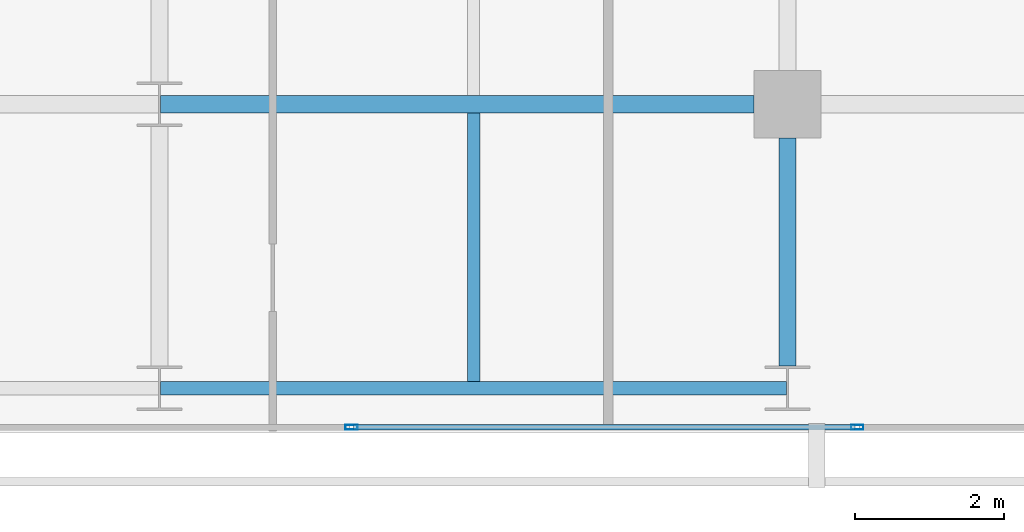
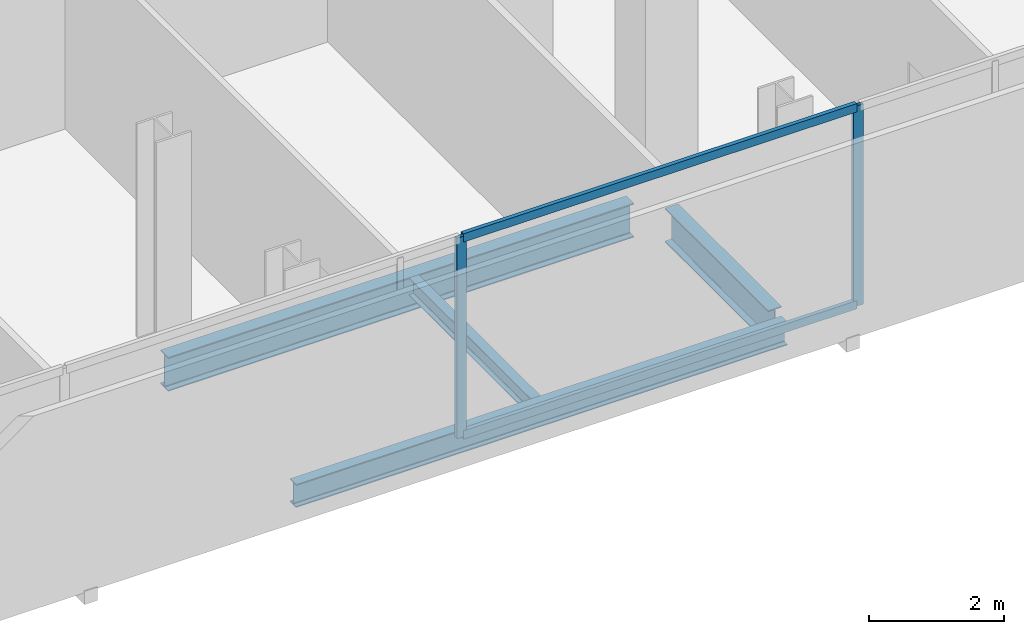
# One storey, part 12 of 34: 4 beams, 4 members, 1 element without a shape of its own.
"""IFC4 building model written with IfcOpenShell, lengths in metres."""

import ifcopenshell
import ifcopenshell.guid

model = None  # the IFC model being written
_history = None  # IfcOwnerHistory: only IFC2X3 demands one
_inside = {}  # id of a spatial element -> (the spatial element, [elements in it])
_under = {}  # id of a project, library or spatial element -> (it, [spatial elements below it])
_declared = {}  # id of a project -> (the project, [libraries it declares])
_typed = {}  # id of a type object -> (the type object, [elements of that type])
_made_of = {}  # id of a material, layer set ... -> (it, [elements and type objects made of it])


def new_model(schema):
    """Start an empty IFC model of exactly this schema.

    Asked for "IFC4X3", IfcOpenShell would pick the latest addendum, in which some entities
    have other attributes; the version numbers below select the first issue.
    IFC2X3 requires an IfcOwnerHistory on every rooted entity: one is made here for all.
    """
    global model, _history
    if schema == "IFC4X3":
        model = ifcopenshell.file(schema_version=(4, 3, 0, 0))
    else:
        model = ifcopenshell.file(schema=schema)
    _inside.clear()
    _under.clear()
    _declared.clear()
    _typed.clear()
    _made_of.clear()
    _history = None
    if model.schema == "IFC2X3":
        org = make("IfcOrganization", Name="unknown")
        user = make(
            "IfcPersonAndOrganization",
            ThePerson=make("IfcPerson", FamilyName="unknown"),
            TheOrganization=org,
        )
        app = make(
            "IfcApplication",
            ApplicationDeveloper=org,
            Version="unknown",
            ApplicationFullName="unknown",
            ApplicationIdentifier="unknown",
        )
        _history = make(
            "IfcOwnerHistory",
            OwningUser=user,
            OwningApplication=app,
            ChangeAction="ADDED",
            CreationDate=0,
        )
    return model


def make(cls, **values):
    """One entity of the class cls with the attributes given. An attribute that is None is left unset."""
    return model.create_entity(
        cls, **{name: value for name, value in values.items() if value is not None}
    )


def rooted(cls, **values):
    """An entity with a GlobalId (a new one), such as an element, a storey or a relation."""
    return make(cls, GlobalId=ifcopenshell.guid.new(), OwnerHistory=_history, **values)


def si_unit(unit_type, name, prefix=None):
    """IfcSIUnit, for example si_unit("LENGTHUNIT", "METRE", prefix="MILLI")."""
    return make("IfcSIUnit", UnitType=unit_type, Prefix=prefix, Name=name)


def assignment(units):
    """IfcUnitAssignment: the units of a project."""
    return None if units is None else make("IfcUnitAssignment", Units=units)


def point(xyz):
    """IfcCartesianPoint."""
    return None if xyz is None else make("IfcCartesianPoint", Coordinates=xyz)


def direction(xyz):
    """IfcDirection."""
    return None if xyz is None else make("IfcDirection", DirectionRatios=xyz)


def frame(location, z_axis=None, x_axis=None):
    """IfcAxis2Placement3D, a coordinate frame: its origin and axes. An axis left out is left unset."""
    return make(
        "IfcAxis2Placement3D",
        Location=point(location),
        Axis=direction(z_axis),
        RefDirection=direction(x_axis),
    )


def frame_2d(location, x_axis=None):
    """IfcAxis2Placement2D, a coordinate frame in the plane: its origin and x axis."""
    return make(
        "IfcAxis2Placement2D", Location=point(location), RefDirection=direction(x_axis)
    )


def origin():
    """The frame at (0, 0, 0) with its axes left unset."""
    return frame((0.0, 0.0, 0.0))


def origin_2d():
    """The frame at (0, 0) in the plane with its x axis left unset."""
    return frame_2d((0.0, 0.0))


def place(relative_to, where):
    """IfcLocalPlacement: puts the frame where relative to a parent placement (None: the world)."""
    return make(
        "IfcLocalPlacement", PlacementRelTo=relative_to, RelativePlacement=where
    )


def context(
    kind, dimensions, precision=None, world=None, true_north=None, identifier=None
):
    """IfcGeometricRepresentationContext, for example the 3D "Model" context."""
    return make(
        "IfcGeometricRepresentationContext",
        ContextIdentifier=identifier,
        ContextType=kind,
        CoordinateSpaceDimension=dimensions,
        Precision=precision,
        WorldCoordinateSystem=world,
        TrueNorth=true_north,
    )


def subcontext(parent, identifier, kind, view, scale=None):
    """IfcGeometricRepresentationSubContext, for example "Body" below "Model"."""
    return make(
        "IfcGeometricRepresentationSubContext",
        ContextIdentifier=identifier,
        ContextType=kind,
        ParentContext=parent,
        TargetScale=scale,
        TargetView=view,
    )


def project(units=None, contexts=None):
    """IfcProject with its units and contexts."""
    return rooted(
        "IfcProject",
        Name="project",
        RepresentationContexts=contexts,
        UnitsInContext=assignment(units),
    )


def spatial(cls, under=None, at=None, **own):
    """A site, building, storey or space (cls), placed at a placement, below another one or the project."""
    s = rooted(cls, ObjectPlacement=at, **own)
    if under is not None:
        _under.setdefault(under.id(), (under, []))[1].append(s)
    return s


def profile(cls, at=None, kind="AREA", **sizes):
    """A parametric profile (cls). Its sizes go by their IFC names, for example OverallWidth=200.0."""
    return make(cls, ProfileType=kind, Position=at, **sizes)


def hollow_rectangle(**sizes):
    """IfcRectangleHollowProfileDef."""
    return profile("IfcRectangleHollowProfileDef", **sizes)


def i_section(**sizes):
    """IfcIShapeProfileDef."""
    return profile("IfcIShapeProfileDef", **sizes)


def extrude(swept, where, along, depth):
    """IfcExtrudedAreaSolid: the profile swept, set in the frame where, extruded along a direction by depth."""
    return make(
        "IfcExtrudedAreaSolid",
        SweptArea=swept,
        Position=where,
        ExtrudedDirection=direction(along),
        Depth=depth,
    )


def shape(context_of_items, identifier, shape_type, items):
    """IfcShapeRepresentation: the items that make up one representation, for example the "Body"."""
    return make(
        "IfcShapeRepresentation",
        ContextOfItems=context_of_items,
        RepresentationIdentifier=identifier,
        RepresentationType=shape_type,
        Items=items,
    )


def material(Name=None, Category=None):
    """IfcMaterial."""
    return make("IfcMaterial", Name=Name, Category=Category)


def layer(
    of_material, thickness, ventilated=None, Name=None, Category=None, Priority=None
):
    """IfcMaterialLayer: one layer of a wall or slab, of a material (None: an air gap)."""
    return make(
        "IfcMaterialLayer",
        Material=of_material,
        LayerThickness=thickness,
        IsVentilated=ventilated,
        Name=Name,
        Category=Category,
        Priority=Priority,
    )


def layer_set(layers, Name=None):
    """IfcMaterialLayerSet."""
    return make("IfcMaterialLayerSet", MaterialLayers=layers, LayerSetName=Name)


def material_profile(
    of_material, cross_section, Name=None, Category=None, Priority=None
):
    """IfcMaterialProfile: a cross section and its material."""
    return make(
        "IfcMaterialProfile",
        Name=Name,
        Material=of_material,
        Profile=cross_section,
        Priority=Priority,
        Category=Category,
    )


def profile_set(profiles, Name=None, composite=None):
    """IfcMaterialProfileSet."""
    return make(
        "IfcMaterialProfileSet",
        Name=Name,
        MaterialProfiles=profiles,
        CompositeProfile=composite,
    )


def made_of(thing, what):
    """Note that an element or type object is made of a material, layer set ...; save() writes the relation."""
    if what is not None:
        _made_of.setdefault(what.id(), (what, []))[1].append(thing)
    return thing


def type_object(cls, material=None, **own):
    """A type object (cls), such as IfcWallType, which elements share."""
    return made_of(rooted(cls, **own), material)


def element(
    cls,
    number,
    at=None,
    inside=None,
    cuts=None,
    type_object=None,
    material=None,
    context=None,
    identifier="Body",
    shape_type=None,
    held_by="IfcProductDefinitionShape",
    body=None,
    shapes=None,
    **own,
):
    """One element of the class cls, such as IfcWall. Its Tag is "e" and its number.

    at: its placement. inside: the storey or other place that contains it. cuts: it is an
    opening in that element (IfcRelVoidsElement). A single representation is given by context,
    identifier, shape_type and body (its items); several are given by shapes. held_by: the class
    of the entity that holds the representations. save() writes the other relations.
    """
    e = rooted(cls, Tag="e%d" % number, ObjectPlacement=at, **own)
    if body is not None:
        shapes = [shape(context, identifier, shape_type, body)]
    if shapes is not None:
        e.Representation = make(held_by, Representations=shapes)
    if inside is not None:
        _inside.setdefault(inside.id(), (inside, []))[1].append(e)
    if cuts is not None:
        rooted(
            "IfcRelVoidsElement", RelatingBuildingElement=cuts, RelatedOpeningElement=e
        )
    if type_object is not None:
        _typed.setdefault(type_object.id(), (type_object, []))[1].append(e)
    return made_of(e, material)


def aggregate(whole, parts):
    """IfcRelAggregates: a whole, such as a stair, and the parts it consists of."""
    return rooted("IfcRelAggregates", RelatingObject=whole, RelatedObjects=parts)


def save(model, path):
    """Write the relations noted so far, then the file.

    IfcRelAggregates (storeys below a building ...), IfcRelContainedInSpatialStructure (elements
    in a storey), IfcRelDefinesByType, IfcRelAssociatesMaterial and IfcRelDeclares: one each for
    every whole, place, type object, material and project.
    """
    for whole, parts in _under.values():
        aggregate(whole, parts)
    for where, things in _inside.values():
        rooted(
            "IfcRelContainedInSpatialStructure",
            RelatedElements=things,
            RelatingStructure=where,
        )
    for kind, things in _typed.values():
        rooted("IfcRelDefinesByType", RelatedObjects=things, RelatingType=kind)
    for what, things in _made_of.values():
        rooted("IfcRelAssociatesMaterial", RelatedObjects=things, RelatingMaterial=what)
    for by, libraries in _declared.values():
        rooted("IfcRelDeclares", RelatingContext=by, RelatedDefinitions=libraries)
    model.write(path)


model = new_model("IFC4")

# Units and contexts
model_context = context("Model", 3, precision=1e-05, world=origin(), true_north=direction((0.0, 1.0)))
body_context = subcontext(model_context, "Body", "Model", "MODEL_VIEW")
ifc_project = project(units=[si_unit("LENGTHUNIT", "METRE"), si_unit("AREAUNIT", "SQUARE_METRE"), si_unit("VOLUMEUNIT", "CUBIC_METRE"), si_unit("PLANEANGLEUNIT", "RADIAN"), si_unit("MASSUNIT", "GRAM", prefix="KILO")], contexts=[model_context])

# Site, building, storey
site_placement = place(None, origin())
site = spatial("IfcSite", under=ifc_project, at=site_placement, CompositionType="ELEMENT")
building_placement = place(site_placement, origin())
building = spatial("IfcBuilding", under=site, at=building_placement, Name="Maruvema Waterfront Hotel and Observation Tower", CompositionType="ELEMENT")
storey_placement = place(building_placement, frame((0.0, 0.0, 146.64990234375)))
storey = spatial("IfcBuildingStorey", under=building, at=storey_placement, Name="L35", CompositionType="ELEMENT", Elevation=146.64990234375)

# Curtain wall, members
ifc_material_1 = material(Name="Anodised bronze aluminium and solar-control low-E IGU", Category="aluminium")
ifc_layer = layer(ifc_material_1, 0.159912109375, Name="Zone 2 Amber Inner Thermal Curtain Wall System CW-03")
ifc_layer_set = layer_set([ifc_layer], Name="Anodised bronze aluminium and solar-control low-E IGU")
curtain_wall_type = type_object("IfcCurtainWallType", Name="Zone 2 Amber Inner Thermal Curtain Wall System CW-03", PredefinedType="USERDEFINED", material=ifc_layer_set)
curtain_wall_placement = place(storey_placement, origin())
curtain_wall = element("IfcCurtainWall", 1, at=curtain_wall_placement, inside=storey, type_object=curtain_wall_type, Name="L35 Curtain Wall CW-L35-S", ObjectType="UNITISED CURTAIN WALL", PredefinedType="USERDEFINED")
ifc_material_2 = material(Name="Anodised architectural bronze aluminium", Category="aluminium")
ifc_material_profile_1 = material_profile(ifc_material_2, hollow_rectangle(XDim=0.070068359375, YDim=0.14990234375, WallThickness=0.00390625, at=origin_2d()), Name="ALU-T70x150")
ifc_profile_set_1 = profile_set([ifc_material_profile_1], Name="Anodised architectural bronze aluminium")
member_type_1 = type_object("IfcMemberType", Name="Curtain Wall Horizontal Transom ALU-T70x150", PredefinedType="USERDEFINED", material=ifc_profile_set_1)
member_1_placement = place(storey_placement, frame((44.5966796875, 4.679931640625, 0.030029296875), z_axis=(1.0, 0.0, 0.0), x_axis=(0.0, 1.0, 0.0)))
member_1 = element("IfcMember", 2, at=member_1_placement, type_object=member_type_1, Name="CW-03 transom 5.1", ObjectType="TRANSOM", PredefinedType="USERDEFINED", context=body_context, shape_type="SweptSolid", body=[
    extrude(hollow_rectangle(XDim=0.070068359375, YDim=0.14990234375, WallThickness=0.00390625, at=origin_2d()), origin(), (0.0, 0.0, 1.0), 6.70654296875),
])
member_2_placement = place(storey_placement, frame((44.5966796875, 4.679931640625, 3.580078125), z_axis=(1.0, 0.0, 0.0), x_axis=(0.0, 1.0, 0.0)))
member_2 = element("IfcMember", 3, at=member_2_placement, type_object=member_type_1, Name="CW-03 transom 5.2", ObjectType="TRANSOM", PredefinedType="USERDEFINED", context=body_context, shape_type="SweptSolid", body=[
    extrude(hollow_rectangle(XDim=0.070068359375, YDim=0.14990234375, WallThickness=0.00390625, at=origin_2d()), origin(), (0.0, 0.0, 1.0), 6.70654296875),
])
ifc_material_3 = material(Name="Anodised architectural bronze aluminium", Category="aluminium")
ifc_material_profile_2 = material_profile(ifc_material_3, hollow_rectangle(XDim=0.06494140625, YDim=0.1650390625, WallThickness=0.00390625, at=origin_2d()), Name="ALU-M65x165")
ifc_profile_set_2 = profile_set([ifc_material_profile_2], Name="Anodised architectural bronze aluminium")
member_type_2 = type_object("IfcMemberType", Name="Curtain Wall Primary Mullion ALU-M65x165", PredefinedType="MULLION", material=ifc_profile_set_2)
member_3_placement = place(storey_placement, frame((44.566650390625, 4.679931640625, 0.0), z_axis=(0.0, 0.0, 1.0), x_axis=(0.0, 1.0, 0.0)))
member_3 = element("IfcMember", 4, at=member_3_placement, type_object=member_type_2, Name="CW-03 mullion 5", PredefinedType="MULLION", context=body_context, shape_type="SweptSolid", body=[
    extrude(hollow_rectangle(XDim=0.06494140625, YDim=0.1650390625, WallThickness=0.00390625, at=origin_2d()), origin(), (0.0, 0.0, 1.0), 3.610107421875),
])
member_4_placement = place(storey_placement, frame((51.333251953125, 4.679931640625, 0.0), z_axis=(0.0, 0.0, 1.0), x_axis=(0.0, 1.0, 0.0)))
member_4 = element("IfcMember", 5, at=member_4_placement, type_object=member_type_2, Name="CW-03 mullion 6", PredefinedType="MULLION", context=body_context, shape_type="SweptSolid", body=[
    extrude(hollow_rectangle(XDim=0.06494140625, YDim=0.1650390625, WallThickness=0.00390625, at=origin_2d()), origin(), (0.0, 0.0, 1.0), 3.610107421875),
])
aggregate(curtain_wall, [member_3, member_4, member_1, member_2])

# Beams
ifc_material_4 = material(Name="Steel ASTM A572 Grade 50", Category="steel")
ifc_material_profile_3 = material_profile(ifc_material_4, i_section(OverallWidth=0.180908203125, OverallDepth=0.4169921875, WebThickness=0.010986328125, FlangeThickness=0.018310546875, FilletRadius=0.014892578125, at=origin_2d()), Name="W410x85.0")
ifc_profile_set_3 = profile_set([ifc_material_profile_3], Name="Steel ASTM A572 Grade 50")
beam_type_1 = type_object("IfcBeamType", Name="Perimeter Spandrel Beam W410x85.0", PredefinedType="SPANDREL", material=ifc_profile_set_3)
beam_1_placement = place(storey_placement, frame((42.012451171875, 5.199951171875, -0.448486328125), z_axis=(1.0, 0.0, 0.0), x_axis=(0.0, 1.0, 0.0)))
element("IfcBeam", 6, at=beam_1_placement, inside=storey, type_object=beam_type_1, Name="L35 Floor Girder EW-03", PredefinedType="SPANDREL", context=body_context, shape_type="SweptSolid", body=[
    extrude(i_section(OverallWidth=0.180908203125, OverallDepth=0.4169921875, WebThickness=0.010986328125, FlangeThickness=0.018310546875, FilletRadius=0.014892578125, at=origin_2d()), origin(), (0.0, 0.0, 1.0), 8.375),
])
ifc_material_5 = material(Name="Steel ASTM A572 Grade 50", Category="steel")
ifc_material_profile_4 = material_profile(ifc_material_5, i_section(OverallWidth=0.22900390625, OverallDepth=0.612060546875, WebThickness=0.011962890625, FlangeThickness=0.01953125, FilletRadius=0.01806640625, at=origin_2d()), Name="W610x125.0")
ifc_profile_set_4 = profile_set([ifc_material_profile_4], Name="Steel ASTM A572 Grade 50")
beam_type_2 = type_object("IfcBeamType", Name="Primary Floor Girder W610x125.0", PredefinedType="BEAM", material=ifc_profile_set_4)
beam_2_placement = place(storey_placement, frame((42.012451171875, 9.0, -0.5458984375), z_axis=(1.0, 0.0, 0.0), x_axis=(0.0, 1.0, 0.0)))
element("IfcBeam", 7, at=beam_2_placement, inside=storey, type_object=beam_type_2, Name="L35 Floor Girder EW-08", PredefinedType="BEAM", context=body_context, shape_type="SweptSolid", body=[
    extrude(i_section(OverallWidth=0.22900390625, OverallDepth=0.612060546875, WebThickness=0.011962890625, FlangeThickness=0.01953125, FilletRadius=0.01806640625, at=origin_2d()), origin(), (0.0, 0.0, 1.0), 7.9375),
])
beam_3_placement = place(storey_placement, frame((50.39990234375, 5.5, -0.5458984375), z_axis=(0.0, 1.0, 0.0), x_axis=(-1.0, 0.0, 0.0)))
element("IfcBeam", 8, at=beam_3_placement, inside=storey, type_object=beam_type_2, Name="L35 Floor Girder NS-20", PredefinedType="BEAM", context=body_context, shape_type="SweptSolid", body=[
    extrude(i_section(OverallWidth=0.22900390625, OverallDepth=0.612060546875, WebThickness=0.011962890625, FlangeThickness=0.01953125, FilletRadius=0.01806640625, at=origin_2d()), origin(), (0.0, 0.0, 1.0), 3.050048828125),
])
ifc_material_6 = material(Name="Steel ASTM A572 Grade 50", Category="steel")
ifc_material_profile_5 = material_profile(ifc_material_6, i_section(OverallWidth=0.1669921875, OverallDepth=0.31689453125, WebThickness=0.007568359375, FlangeThickness=0.01318359375, FilletRadius=0.012939453125, at=origin_2d()), Name="W310x52.0")
ifc_profile_set_5 = profile_set([ifc_material_profile_5], Name="Steel ASTM A572 Grade 50")
beam_type_3 = type_object("IfcBeamType", Name="Secondary Floor Joist W310x52.0", PredefinedType="JOIST", material=ifc_profile_set_5)
beam_4_placement = place(storey_placement, frame((46.199951171875, 5.29052734375, -0.3984375), z_axis=(0.0, 1.0, 0.0), x_axis=(-1.0, 0.0, 0.0)))
element("IfcBeam", 9, at=beam_4_placement, inside=storey, type_object=beam_type_3, Name="L35 Secondary Floor Joist JS-09", PredefinedType="JOIST", context=body_context, shape_type="SweptSolid", body=[
    extrude(i_section(OverallWidth=0.1669921875, OverallDepth=0.31689453125, WebThickness=0.007568359375, FlangeThickness=0.01318359375, FilletRadius=0.012939453125, at=origin_2d()), origin(), (0.0, 0.0, 1.0), 3.594970703125),
])

save(model, "model.ifc")
